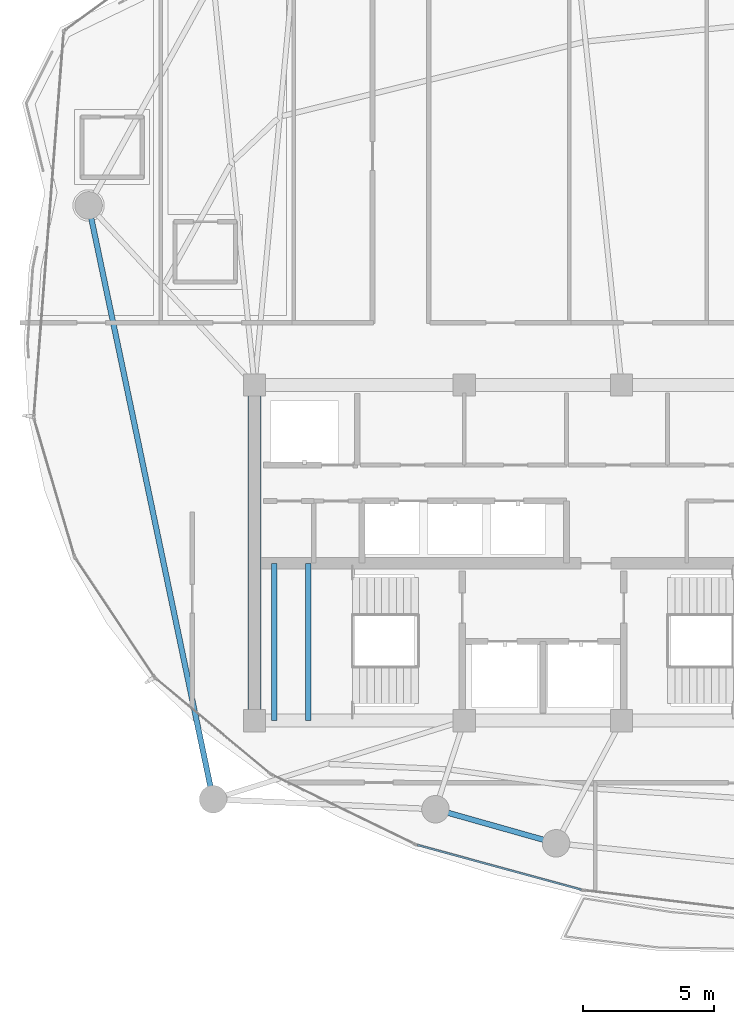
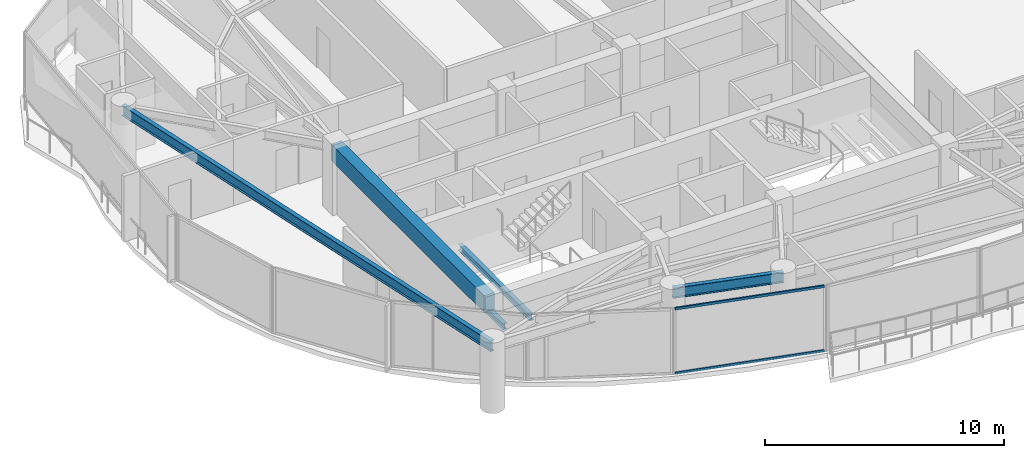
# One storey, part 4 of 31: 5 beams, 2 members, 1 element without a shape of its own.
"""IFC4 building model written with IfcOpenShell, lengths in metres."""

from ifc_helpers import new_model, si_unit, direction, frame, origin, origin_2d, place, context, subcontext, project, spatial, rectangle, hollow_rectangle, i_section, extrude, material, layer, layer_set, material_profile, profile_set, type_object, element, aggregate, save


model = new_model("IFC4")

# Units and contexts
model_context = context("Model", 3, precision=1e-05, world=origin(), true_north=direction((0.0, 1.0)))
body_context = subcontext(model_context, "Body", "Model", "MODEL_VIEW")
ifc_project = project(units=[si_unit("LENGTHUNIT", "METRE"), si_unit("AREAUNIT", "SQUARE_METRE"), si_unit("VOLUMEUNIT", "CUBIC_METRE"), si_unit("PLANEANGLEUNIT", "RADIAN"), si_unit("MASSUNIT", "GRAM", prefix="KILO")], contexts=[model_context])

# Site, building, storey
site_placement = place(None, origin())
site = spatial("IfcSite", under=ifc_project, at=site_placement, CompositionType="ELEMENT")
building_placement = place(site_placement, origin())
building = spatial("IfcBuilding", under=site, at=building_placement, Name="Kazevale Care Tower and Concert Hall", CompositionType="ELEMENT")
storey_placement = place(building_placement, frame((0.0, 0.0, 217.199951171875)))
storey = spatial("IfcBuildingStorey", under=building, at=storey_placement, Name="L57", CompositionType="ELEMENT", Elevation=217.199951171875)

# Curtain wall, members
ifc_material_1 = material(Name="Aluminium 6063-T6 and Low-E Glass", Category="aluminium")
ifc_layer = layer(ifc_material_1, 0.179931640625)
ifc_layer_set = layer_set([ifc_layer], Name="Aluminium 6063-T6 and Low-E Glass")
curtain_wall_type = type_object("IfcCurtainWallType", Name="Sheltered Concave Balcony Curtain Wall CW-5", PredefinedType="NOTDEFINED", material=ifc_layer_set)
curtain_wall_placement = place(storey_placement, origin())
curtain_wall = element("IfcCurtainWall", 1, at=curtain_wall_placement, inside=storey, type_object=curtain_wall_type, Name="cw:L57:f08", PredefinedType="NOTDEFINED")
ifc_material_2 = material(Name="Aluminium 6063-T6", Category="aluminium")
ifc_material_profile_1 = material_profile(ifc_material_2, hollow_rectangle(XDim=0.074951171875, YDim=0.1201171875, WallThickness=0.00390625, at=origin_2d()), Name="ALU75x120x4")
ifc_profile_set_1 = profile_set([ifc_material_profile_1], Name="Aluminium 6063-T6")
member_type = type_object("IfcMemberType", Name="CW-5 Transom ALU75x120x4", PredefinedType="USERDEFINED", material=ifc_profile_set_1)
member_1_placement = place(storey_placement, frame((34.458740234375, 17.15283203125, 0.03759765625), z_axis=(-0.964843890632, 0.262823641842, 0.0), x_axis=(-0.262823641842, -0.964843890632, 0.0)))
member_1 = element("IfcMember", 2, at=member_1_placement, type_object=member_type, Name="CW-5 transom 1.1", ObjectType="TRANSOM", PredefinedType="USERDEFINED", context=body_context, shape_type="SweptSolid", body=[
    extrude(hollow_rectangle(XDim=0.074951171875, YDim=0.1201171875, WallThickness=0.00390625, at=origin_2d()), origin(), (0.0, 0.0, 1.0), 6.469970703125),
])
member_2_placement = place(storey_placement, frame((34.458740234375, 17.15283203125, 3.322509765625), z_axis=(-0.964843890632, 0.262823641842, 0.0), x_axis=(-0.262823641842, -0.964843890632, 0.0)))
member_2 = element("IfcMember", 3, at=member_2_placement, type_object=member_type, Name="CW-5 transom 1.2", ObjectType="TRANSOM", PredefinedType="USERDEFINED", context=body_context, shape_type="SweptSolid", body=[
    extrude(hollow_rectangle(XDim=0.074951171875, YDim=0.1201171875, WallThickness=0.00390625, at=origin_2d()), origin(), (0.0, 0.0, 1.0), 6.469970703125),
])
aggregate(curtain_wall, [member_1, member_2])

# Beams
ifc_material_3 = material(Name="Concrete C60", Category="concrete")
ifc_material_profile_2 = material_profile(ifc_material_3, rectangle(XDim=0.5, YDim=0.85009765625, at=origin_2d()), Name="RC-B500x850")
ifc_profile_set_2 = profile_set([ifc_material_profile_2], Name="Concrete C60")
beam_type_1 = type_object("IfcBeamType", Name="Core Coupling Beam RC500x850", PredefinedType="LINTEL", material=ifc_profile_set_2)
beam_1_placement = place(storey_placement, frame((22.0, 36.39990234375, 2.93505859375), z_axis=(0.0, -1.0, 0.0), x_axis=(1.0, 0.0, 0.0)))
element("IfcBeam", 4, at=beam_1_placement, inside=storey, type_object=beam_type_1, Name="beam:L57:coretie:8", PredefinedType="LINTEL", context=body_context, shape_type="SweptSolid", body=[
    extrude(rectangle(XDim=0.5, YDim=0.85009765625, at=origin_2d()), origin(), (0.0, 0.0, 1.0), 12.7998046875),
])
ifc_material_4 = material(Name="Steel ASTM A572 Gr 50", Category="steel")
ifc_material_profile_3 = material_profile(ifc_material_4, i_section(OverallWidth=0.202880859375, OverallDepth=0.302978515625, WebThickness=0.007568359375, FlangeThickness=0.01318359375, at=origin_2d()), Name="W310x60")
ifc_profile_set_3 = profile_set([ifc_material_profile_3], Name="Steel ASTM A572 Gr 50")
beam_type_2 = type_object("IfcBeamType", Name="Stair & Balcony Trimmer W310x60", PredefinedType="BEAM", material=ifc_profile_set_3)
for number, where, z_axis, x_axis, name in (
    (5, (22.75, 23.60009765625, 1.448486328125), (0.0, 1.0, 0.0), (-1.0, 0.0, 0.0), "beam:L57:sttrim:ST1"),
    (6, (24.050048828125, 23.60009765625, 1.448486328125), (0.0, 1.0, 0.0), (-1.0, 0.0, 0.0), "beam:L57:sttrim:ST1b"),
):
    element("IfcBeam", number, at=place(storey_placement, frame(where, z_axis=z_axis, x_axis=x_axis)), inside=storey, type_object=beam_type_2, Name=name, PredefinedType="BEAM", context=body_context, shape_type="SweptSolid", body=[
        extrude(i_section(OverallWidth=0.202880859375, OverallDepth=0.302978515625, WebThickness=0.007568359375, FlangeThickness=0.01318359375, at=origin_2d()), origin(), (0.0, 0.0, 1.0), 6.0),
    ])
ifc_material_profile_4 = material_profile(ifc_material_4, i_section(OverallWidth=0.208984375, OverallDepth=0.532958984375, WebThickness=0.01025390625, FlangeThickness=0.015625, at=origin_2d()), Name="W530x92")
ifc_profile_set_4 = profile_set([ifc_material_profile_4], Name="Steel ASTM A572 Gr 50")
beam_type_3 = type_object("IfcBeamType", Name="Upper Ring Beam W530x92", PredefinedType="BEAM", material=ifc_profile_set_4)
beam_2_placement = place(storey_placement, frame((15.669921875, 43.25, 3.093505859375), z_axis=(0.205249071222, -0.978709772488, 0.0), x_axis=(0.978709772488, 0.205249071222, 0.0)))
element("IfcBeam", 7, at=beam_2_placement, inside=storey, type_object=beam_type_3, Name="beam:L57:ring:09", PredefinedType="BEAM", context=body_context, shape_type="SweptSolid", body=[
    extrude(i_section(OverallWidth=0.208984375, OverallDepth=0.532958984375, WebThickness=0.01025390625, FlangeThickness=0.015625, at=origin_2d()), origin(), (0.0, 0.0, 1.0), 23.142578125),
])
beam_3_placement = place(storey_placement, frame((28.89990234375, 20.219970703125, 3.093505859375), z_axis=(0.962308240836, -0.271961117846, 0.0), x_axis=(0.271961117846, 0.962308240836, 0.0)))
element("IfcBeam", 8, at=beam_3_placement, inside=storey, type_object=beam_type_3, Name="beam:L57:ring:11", PredefinedType="BEAM", context=body_context, shape_type="SweptSolid", body=[
    extrude(i_section(OverallWidth=0.208984375, OverallDepth=0.532958984375, WebThickness=0.01025390625, FlangeThickness=0.015625, at=origin_2d()), origin(), (0.0, 0.0, 1.0), 4.7802734375),
])

save(model, "model.ifc")
